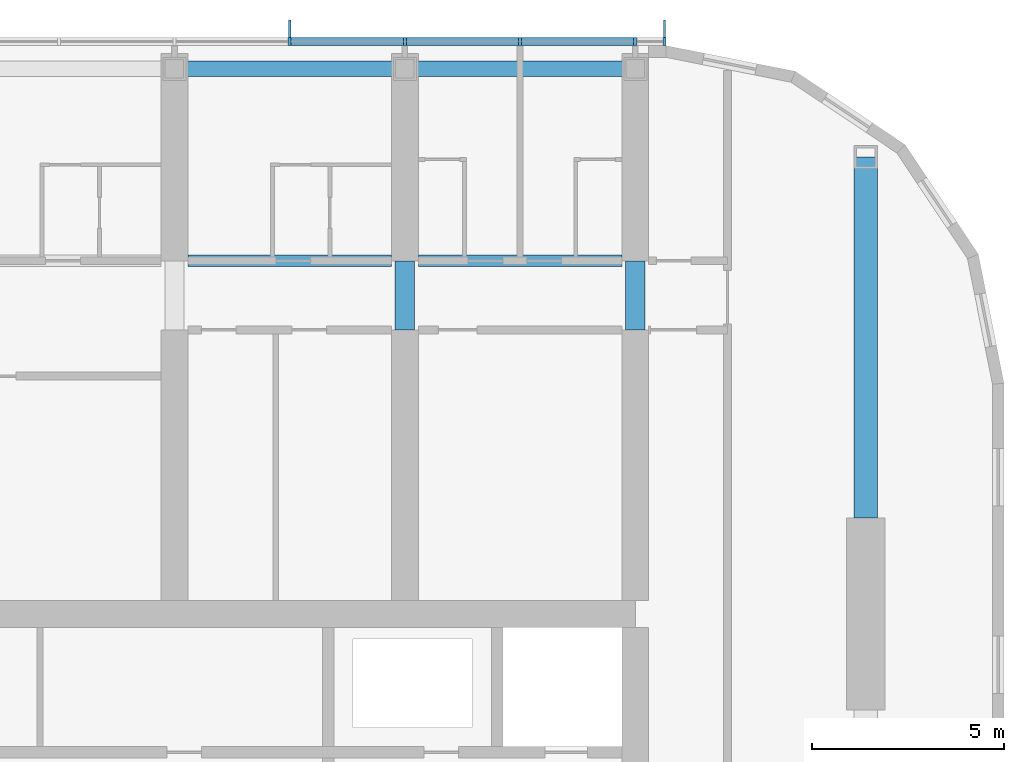
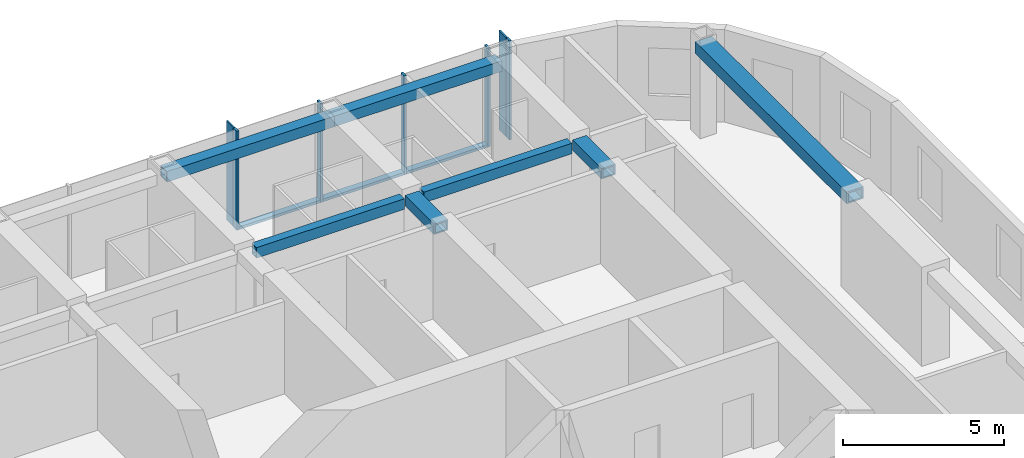
# One storey, part 5 of 23: 10 members, 7 beams, 1 element without a shape of its own.
"""IFC4 building model written with IfcOpenShell, lengths in metres."""

from ifc_helpers import new_model, si_unit, direction, frame, origin, origin_2d, place, context, subcontext, project, spatial, rectangle, hollow_rectangle, extrude, material, material_profile, profile_set, type_object, element, aggregate, save


model = new_model("IFC4")

# Units and contexts
model_context = context("Model", 3, precision=1e-05, world=origin(), true_north=direction((0.0, 1.0)))
body_context = subcontext(model_context, "Body", "Model", "MODEL_VIEW")
ifc_project = project(units=[si_unit("LENGTHUNIT", "METRE"), si_unit("AREAUNIT", "SQUARE_METRE"), si_unit("VOLUMEUNIT", "CUBIC_METRE"), si_unit("PLANEANGLEUNIT", "RADIAN"), si_unit("MASSUNIT", "GRAM", prefix="KILO")], contexts=[model_context])

# Site, building, storey
site_placement = place(None, origin())
site = spatial("IfcSite", under=ifc_project, at=site_placement, CompositionType="ELEMENT")
building_placement = place(site_placement, origin())
building = spatial("IfcBuilding", under=site, at=building_placement, Name="Orbita Commons", CompositionType="ELEMENT")
storey_placement = place(building_placement, frame((0.0, 0.0, 250.300048828125)))
storey = spatial("IfcBuildingStorey", under=building, at=storey_placement, Name="L62", CompositionType="ELEMENT", Elevation=250.300048828125)

# Curtain wall, members
ifc_material_1 = material(Name="Anodised aluminium frame, pale silver", Category="aluminium")
curtain_wall_type = type_object("IfcCurtainWallType", Name="Unitised curtain wall CW-U, full-height vision", PredefinedType="NOTDEFINED", material=ifc_material_1)
curtain_wall_placement = place(storey_placement, origin())
curtain_wall = element("IfcCurtainWall", 1, at=curtain_wall_placement, inside=storey, type_object=curtain_wall_type, Name="Curtain wall north L62", PredefinedType="NOTDEFINED")
ifc_material_2 = material(Name="Anodised aluminium, pale silver", Category="aluminium")
ifc_material_profile_1 = material_profile(ifc_material_2, rectangle(XDim=0.080078125, YDim=0.219970703125, at=origin_2d()), Name="AL 80x220")
ifc_profile_set_1 = profile_set([ifc_material_profile_1], Name="Anodised aluminium, pale silver")
member_type_1 = type_object("IfcMemberType", Name="Curtain wall mullion 80x220", PredefinedType="MULLION", material=ifc_profile_set_1)
member_1_placement = place(storey_placement, frame((66.760009765625, 53.110107421875, -0.25), z_axis=(0.0, 0.0, 1.0), x_axis=(-1.0, 0.0, 0.0)))
member_1 = element("IfcMember", 2, at=member_1_placement, type_object=member_type_1, Name="Mullion 1 CW-L62-N", PredefinedType="MULLION", context=body_context, shape_type="SweptSolid", body=[
    extrude(rectangle(XDim=0.080078125, YDim=0.219970703125, at=origin_2d()), origin(), (0.0, 0.0, 1.0), 3.75),
])
member_2_placement = place(storey_placement, frame((66.0, 53.110107421875, -0.25), z_axis=(0.0, 0.0, 1.0), x_axis=(-1.0, 0.0, 0.0)))
member_2 = element("IfcMember", 3, at=member_2_placement, type_object=member_type_1, Name="Mullion 2 CW-L62-N", PredefinedType="MULLION", context=body_context, shape_type="SweptSolid", body=[
    extrude(rectangle(XDim=0.080078125, YDim=0.219970703125, at=origin_2d()), origin(), (0.0, 0.0, 1.0), 3.75),
])
member_3_placement = place(storey_placement, frame((63.0, 53.110107421875, -0.25), z_axis=(0.0, 0.0, 1.0), x_axis=(-1.0, 0.0, 0.0)))
member_3 = element("IfcMember", 4, at=member_3_placement, type_object=member_type_1, Name="Mullion 3 CW-L62-N", PredefinedType="MULLION", context=body_context, shape_type="SweptSolid", body=[
    extrude(rectangle(XDim=0.080078125, YDim=0.219970703125, at=origin_2d()), origin(), (0.0, 0.0, 1.0), 3.75),
])
member_4_placement = place(storey_placement, frame((60.0, 53.110107421875, -0.25), z_axis=(0.0, 0.0, 1.0), x_axis=(-1.0, 0.0, 0.0)))
member_4 = element("IfcMember", 5, at=member_4_placement, type_object=member_type_1, Name="Mullion 4 CW-L62-N", PredefinedType="MULLION", context=body_context, shape_type="SweptSolid", body=[
    extrude(rectangle(XDim=0.080078125, YDim=0.219970703125, at=origin_2d()), origin(), (0.0, 0.0, 1.0), 3.75),
])
member_5_placement = place(storey_placement, frame((57.0, 53.110107421875, -0.25), z_axis=(0.0, 0.0, 1.0), x_axis=(-1.0, 0.0, 0.0)))
member_5 = element("IfcMember", 6, at=member_5_placement, type_object=member_type_1, Name="Mullion 5 CW-L62-N", PredefinedType="MULLION", context=body_context, shape_type="SweptSolid", body=[
    extrude(rectangle(XDim=0.080078125, YDim=0.219970703125, at=origin_2d()), origin(), (0.0, 0.0, 1.0), 3.75),
])
ifc_material_3 = material(Name="Anodised aluminium, pale silver", Category="aluminium")
ifc_material_profile_2 = material_profile(ifc_material_3, rectangle(XDim=0.219970703125, YDim=0.10009765625, at=origin_2d()), Name="AL 220x100")
ifc_profile_set_2 = profile_set([ifc_material_profile_2], Name="Anodised aluminium, pale silver")
member_type_2 = type_object("IfcMemberType", Name="Curtain wall stack transom 220x100", PredefinedType="USERDEFINED", material=ifc_profile_set_2)
member_6_placement = place(storey_placement, frame((65.9599609375, 53.110107421875, -0.199951171875), z_axis=(-1.0, 0.0, 0.0), x_axis=(0.0, -1.0, 0.0)))
member_6 = element("IfcMember", 7, at=member_6_placement, type_object=member_type_2, Name="Transom 2.1 CW-L62-N", ObjectType="TRANSOM", PredefinedType="USERDEFINED", context=body_context, shape_type="SweptSolid", body=[
    extrude(rectangle(XDim=0.219970703125, YDim=0.10009765625, at=origin_2d()), origin(), (0.0, 0.0, 1.0), 2.919921875),
])
member_7_placement = place(storey_placement, frame((62.9599609375, 53.110107421875, -0.199951171875), z_axis=(-1.0, 0.0, 0.0), x_axis=(0.0, -1.0, 0.0)))
member_7 = element("IfcMember", 8, at=member_7_placement, type_object=member_type_2, Name="Transom 3.1 CW-L62-N", ObjectType="TRANSOM", PredefinedType="USERDEFINED", context=body_context, shape_type="SweptSolid", body=[
    extrude(rectangle(XDim=0.219970703125, YDim=0.10009765625, at=origin_2d()), origin(), (0.0, 0.0, 1.0), 2.919921875),
])
member_8_placement = place(storey_placement, frame((59.9599609375, 53.110107421875, -0.199951171875), z_axis=(-1.0, 0.0, 0.0), x_axis=(0.0, -1.0, 0.0)))
member_8 = element("IfcMember", 9, at=member_8_placement, type_object=member_type_2, Name="Transom 4.1 CW-L62-N", ObjectType="TRANSOM", PredefinedType="USERDEFINED", context=body_context, shape_type="SweptSolid", body=[
    extrude(rectangle(XDim=0.219970703125, YDim=0.10009765625, at=origin_2d()), origin(), (0.0, 0.0, 1.0), 2.919921875),
])

# Beams
ifc_material_4 = material(Name="Steel ASTM A572 Gr 50 welded plate", Category="steel")
ifc_material_profile_3 = material_profile(ifc_material_4, hollow_rectangle(XDim=0.300048828125, YDim=0.39990234375, WallThickness=0.0400390625, at=origin_2d()), Name="BOX 400x300x40")
ifc_profile_set_3 = profile_set([ifc_material_profile_3], Name="Steel ASTM A572 Gr 50 welded plate")
beam_type_1 = type_object("IfcBeamType", Name="Steel corridor link BOX 400x300x40", PredefinedType="BEAM", material=ifc_profile_set_3)
for number, where, z_axis, x_axis, name in (
    (10, (54.35009765625, 47.39990234375, 3.300048828125), (1.0, 0.0, 0.0), (0.0, 1.0, 0.0), "Corridor beam NB 10-11 L62"),
    (11, (60.35009765625, 47.39990234375, 3.300048828125), (1.0, 0.0, 0.0), (0.0, 1.0, 0.0), "Corridor beam NB 11-12 L62"),
):
    element("IfcBeam", number, at=place(storey_placement, frame(where, z_axis=z_axis, x_axis=x_axis)), inside=storey, type_object=beam_type_1, Name=name, PredefinedType="BEAM", context=body_context, shape_type="SweptSolid", body=[
        extrude(hollow_rectangle(XDim=0.300048828125, YDim=0.39990234375, WallThickness=0.0400390625, at=origin_2d()), origin(), (0.0, 0.0, 1.0), 5.2998046875),
    ])
ifc_material_5 = material(Name="Steel ASTM A572 Gr 50 welded plate", Category="steel")
ifc_material_profile_4 = material_profile(ifc_material_5, hollow_rectangle(XDim=0.5, YDim=0.39990234375, WallThickness=0.050048828125, at=origin_2d()), Name="BOX 400x500x50")
ifc_profile_set_4 = profile_set([ifc_material_profile_4], Name="Steel ASTM A572 Gr 50 welded plate")
beam_type_2 = type_object("IfcBeamType", Name="Steel coupling link BOX 400x500x50", PredefinedType="LINTEL", material=ifc_profile_set_4)
for number, where, z_axis, x_axis, name in (
    (12, (60.0, 45.60009765625, 3.300048828125), (0.0, 1.0, 0.0), (-1.0, 0.0, 0.0), "Coupling beam 11 north L62"),
    (13, (66.0, 45.60009765625, 3.300048828125), (0.0, 1.0, 0.0), (-1.0, 0.0, 0.0), "Coupling beam 12 north L62"),
):
    element("IfcBeam", number, at=place(storey_placement, frame(where, z_axis=z_axis, x_axis=x_axis)), inside=storey, type_object=beam_type_2, Name=name, PredefinedType="LINTEL", context=body_context, shape_type="SweptSolid", body=[
        extrude(hollow_rectangle(XDim=0.5, YDim=0.39990234375, WallThickness=0.050048828125, at=origin_2d()), origin(), (0.0, 0.0, 1.0), 1.7998046875),
    ])
ifc_material_6 = material(Name="Steel ASTM A572 Gr 50 welded plate", Category="steel")
ifc_material_profile_5 = material_profile(ifc_material_6, hollow_rectangle(XDim=0.60009765625, YDim=0.449951171875, WallThickness=0.06005859375, at=origin_2d()), Name="BOX 450x600x60")
ifc_profile_set_5 = profile_set([ifc_material_profile_5], Name="Steel ASTM A572 Gr 50 welded plate")
beam_type_3 = type_object("IfcBeamType", Name="Steel end frame link BOX 450x600x60", PredefinedType="BEAM", material=ifc_profile_set_5)
beam_placement = place(storey_placement, frame((72.0, 40.699951171875, 3.27490234375), z_axis=(0.0, 1.0, 0.0), x_axis=(-1.0, 0.0, 0.0)))
element("IfcBeam", 14, at=beam_placement, inside=storey, type_object=beam_type_3, Name="End frame beam 13 D-E L62", PredefinedType="BEAM", context=body_context, shape_type="SweptSolid", body=[
    extrude(hollow_rectangle(XDim=0.60009765625, YDim=0.449951171875, WallThickness=0.06005859375, at=origin_2d()), origin(), (0.0, 0.0, 1.0), 9.400146484375),
])
ifc_material_7 = material(Name="Steel ASTM A572 Gr 50 welded plate", Category="steel")
ifc_material_profile_6 = material_profile(ifc_material_7, hollow_rectangle(XDim=0.39990234375, YDim=0.39990234375, WallThickness=0.0400390625, at=origin_2d()), Name="BOX 400x400x40")
ifc_profile_set_6 = profile_set([ifc_material_profile_6], Name="Steel ASTM A572 Gr 50 welded plate")
beam_type_4 = type_object("IfcBeamType", Name="Steel spandrel BOX 400x400x40", PredefinedType="SPANDREL", material=ifc_profile_set_6)
for number, where, z_axis, x_axis, name in (
    (15, (54.0, 52.39990234375, 3.300048828125), (1.0, 0.0, 0.0), (0.0, 1.0, 0.0), "Spandrel beam E 10-11 L62"),
    (16, (60.0, 52.39990234375, 3.300048828125), (1.0, 0.0, 0.0), (0.0, 1.0, 0.0), "Spandrel beam E 11-12 L62"),
):
    element("IfcBeam", number, at=place(storey_placement, frame(where, z_axis=z_axis, x_axis=x_axis)), inside=storey, type_object=beam_type_4, Name=name, PredefinedType="SPANDREL", context=body_context, shape_type="SweptSolid", body=[
        extrude(hollow_rectangle(XDim=0.39990234375, YDim=0.39990234375, WallThickness=0.0400390625, at=origin_2d()), origin(), (0.0, 0.0, 1.0), 6.0),
    ])

# Member
ifc_material_8 = material(Name="Anodised aluminium, pale silver", Category="aluminium")
ifc_material_profile_7 = material_profile(ifc_material_8, rectangle(XDim=0.06005859375, YDim=0.449951171875, at=origin_2d()), Name="FIN 60x450")
ifc_profile_set_7 = profile_set([ifc_material_profile_7], Name="Anodised aluminium, pale silver")
member_type_3 = type_object("IfcMemberType", Name="Vertical fin 60x450 pale aluminium", PredefinedType="USERDEFINED", material=ifc_profile_set_7)
member_9_placement = place(storey_placement, frame((66.760009765625, 53.445068359375, -0.25), z_axis=(0.0, 0.0, 1.0), x_axis=(-1.0, 0.0, 0.0)))
member_9 = element("IfcMember", 17, at=member_9_placement, type_object=member_type_3, Name="Fin 1 CW-L62-N", ObjectType="FIN", PredefinedType="USERDEFINED", context=body_context, shape_type="SweptSolid", body=[
    extrude(rectangle(XDim=0.06005859375, YDim=0.449951171875, at=origin_2d()), origin(), (0.0, 0.0, 1.0), 3.75),
])

member_10_placement = place(storey_placement, frame((57.0, 53.445068359375, -0.25), z_axis=(0.0, 0.0, 1.0), x_axis=(-1.0, 0.0, 0.0)))
member_10 = element("IfcMember", 18, at=member_10_placement, type_object=member_type_3, Name="Fin 5 CW-L62-N", ObjectType="FIN", PredefinedType="USERDEFINED", context=body_context, shape_type="SweptSolid", body=[
    extrude(rectangle(XDim=0.06005859375, YDim=0.449951171875, at=origin_2d()), origin(), (0.0, 0.0, 1.0), 3.75),
])

aggregate(curtain_wall, [member_1, member_9, member_2, member_3, member_4, member_5, member_10, member_6, member_7, member_8])

save(model, "model.ifc")
